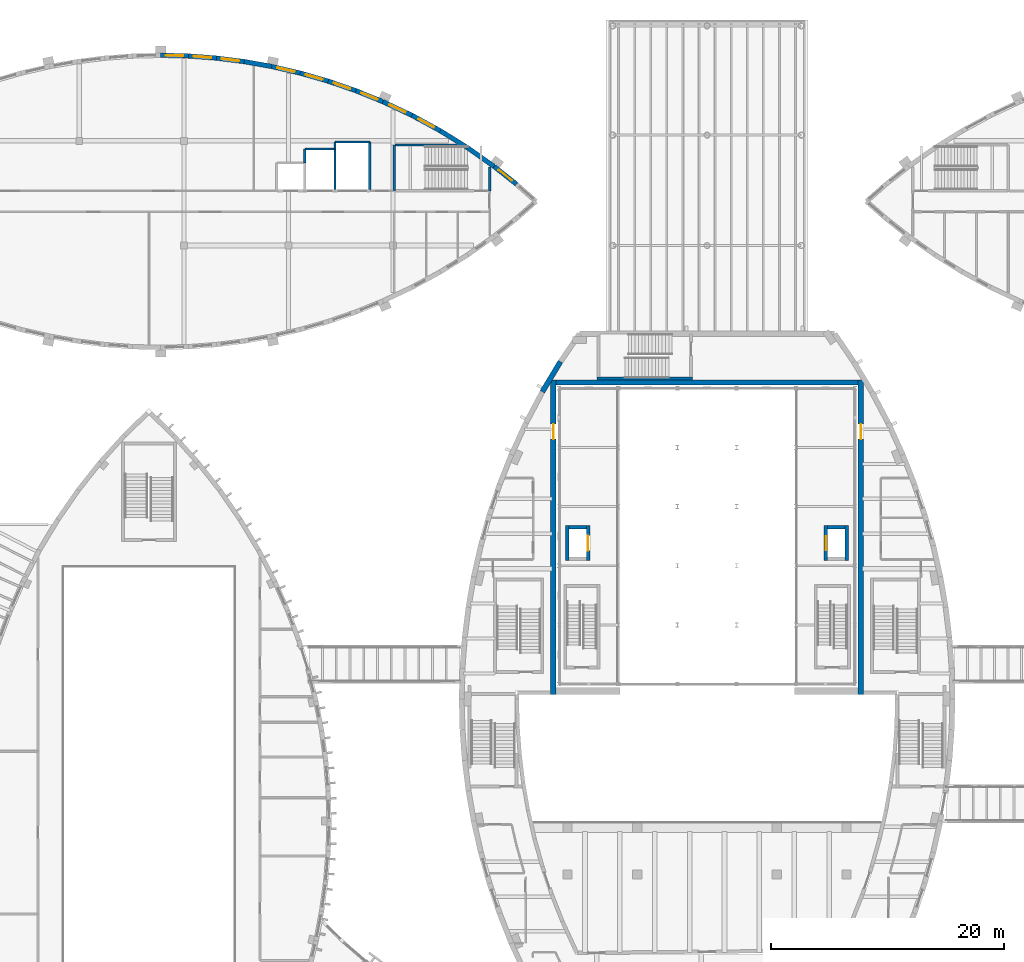
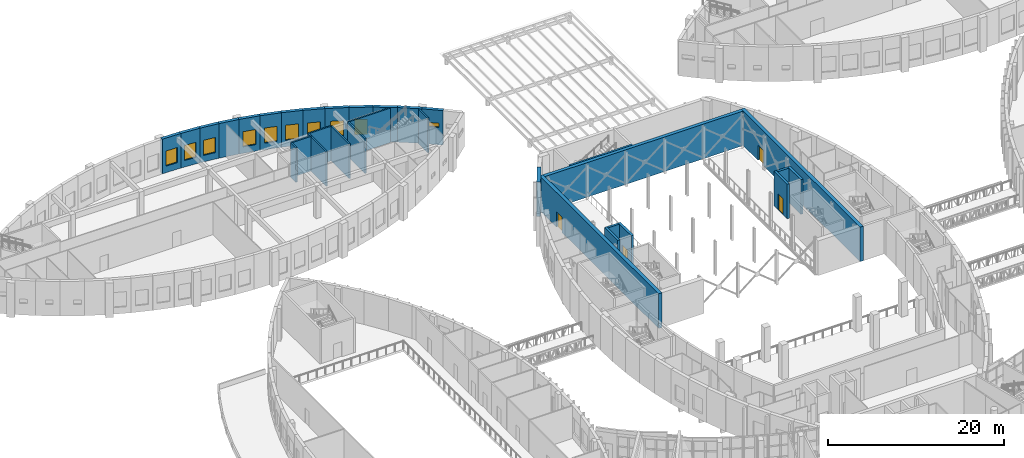
# One storey, part 68 of 93: 33 walls, 10 windows, 4 doors, 14 openings.
"""IFC4 building model written with IfcOpenShell, lengths in metres."""

from ifc_helpers import new_model, si_unit, direction, frame, frame_2d, origin, place, context, subcontext, project, spatial, rectangle, extrude, material, layer, layer_set, type_object, element, fill, save


model = new_model("IFC4")

# Units and contexts
model_context = context("Model", 3, precision=1e-05, world=origin(), true_north=direction((0.0, 1.0)))
body_context = subcontext(model_context, "Body", "Model", "MODEL_VIEW")
ifc_project = project(units=[si_unit("LENGTHUNIT", "METRE"), si_unit("AREAUNIT", "SQUARE_METRE"), si_unit("VOLUMEUNIT", "CUBIC_METRE"), si_unit("PLANEANGLEUNIT", "RADIAN"), si_unit("MASSUNIT", "GRAM", prefix="KILO")], contexts=[model_context])

# Site, building, storey
site_placement = place(None, origin())
site = spatial("IfcSite", under=ifc_project, at=site_placement, CompositionType="ELEMENT")
building_placement = place(site_placement, origin())
building = spatial("IfcBuilding", under=site, at=building_placement, Name="Tide Square Theatres", CompositionType="ELEMENT")
storey_placement = place(building_placement, frame((0.0, 0.0, 5.39990234375)))
storey = spatial("IfcBuildingStorey", under=building, at=storey_placement, Name="L01", CompositionType="ELEMENT", Elevation=5.39990234375)

# Wall, opening, window
ifc_material_1 = material(Name="Concrete C40", Category="concrete")
ifc_layer_1 = layer(ifc_material_1, 0.39990234375)
ifc_layer_set_1 = layer_set([ifc_layer_1], Name="Concrete C40")
wall_type_1 = type_object("IfcWallType", Name="RC curved wall 400 thick", PredefinedType="SOLIDWALL", material=ifc_layer_set_1)
wall_1_placement = place(storey_placement, frame((67.61279296875, 99.27978515625, 0.0), z_axis=(0.0, 0.0, 1.0), x_axis=(-0.784278812541, 0.620408530082, 0.0)))
wall_1 = element("IfcWall", 1, at=wall_1_placement, inside=storey, type_object=wall_type_1, Name="Scenery Workshops perimeter wall 029", PredefinedType="SOLIDWALL", context=body_context, shape_type="SweptSolid", body=[
    extrude(rectangle(XDim=2.464111328125, YDim=0.39990234375, at=frame_2d((1.23193359375, 0.0))), origin(), (0.0, 0.0, 1.0), 4.800048828125),
])
opening_1_placement = place(wall_1_placement, frame((0.48193359375, 0.0, 2.39990234375)))
opening_1 = element("IfcOpeningElement", 2, at=opening_1_placement, cuts=wall_1, Name="Opening WN-05", PredefinedType="OPENING", context=body_context, shape_type="SweptSolid", body=[
    extrude(rectangle(XDim=1.5, YDim=0.60009765625, at=frame_2d((0.75, 0.300048828125))), frame((0.0, 0.2099609375, 0.0), z_axis=(0.0, -1.0, 0.0), x_axis=(1.0, 0.0, 0.0)), (0.0, 0.0, 1.0), 0.419921875),
])
ifc_material_2 = material(Name="Aluminium with laminated glass", Category="aluminium")
window_type_1 = type_object("IfcWindowType", Name="Window 1500 x 600", PartitioningType="SINGLE_PANEL", PredefinedType="WINDOW", material=ifc_material_2)
window_1_placement = place(opening_1_placement, origin())
window_1 = element("IfcWindow", 3, at=window_1_placement, inside=storey, type_object=window_type_1, Name="Scenery Workshops window L01-70", OverallHeight=0.60009765625, OverallWidth=1.5, PartitioningType="SINGLE_PANEL", PredefinedType="WINDOW", context=body_context, shape_type="SweptSolid", body=[
    extrude(rectangle(XDim=1.5, YDim=0.60009765625, at=frame_2d((0.75, 0.300048828125))), frame((0.0, 0.030029296875, 0.0), z_axis=(0.0, -1.0, 0.0), x_axis=(1.0, 0.0, 0.0)), (0.0, 0.0, 1.0), 0.06005859375),
])
fill(opening_1, window_1)

# Walls
for number, where, z_axis, x_axis, name in (
    (4, (65.68017578125, 100.80859375, 0.0), (0.0, 0.0, 1.0), (-0.817070367038, 0.57653795652, 0.0), "Scenery Workshops perimeter wall 030"),
    (5, (63.415283203125, 102.40673828125, 0.0), (0.0, 0.0, 1.0), (-0.84912946359, 0.528184772653, 0.0), "Scenery Workshops perimeter wall 031"),
):
    element("IfcWall", number, at=place(storey_placement, frame(where, z_axis=z_axis, x_axis=x_axis)), inside=storey, type_object=wall_type_1, Name=name, PredefinedType="SOLIDWALL", context=body_context, shape_type="SweptSolid", body=[
        extrude(rectangle(XDim=2.77197265625, YDim=0.39990234375, at=frame_2d((1.385986328125, 0.0))), origin(), (0.0, 0.0, 1.0), 4.800048828125),
    ])

# Wall, opening, window
wall_2_placement = place(storey_placement, frame((61.0615234375, 103.870849609375, 0.0), z_axis=(0.0, 0.0, 1.0), x_axis=(-0.878255502871, 0.478191668347, 0.0)))
wall_2 = element("IfcWall", 6, at=wall_2_placement, inside=storey, type_object=wall_type_1, Name="Scenery Workshops perimeter wall 032", PredefinedType="SOLIDWALL", context=body_context, shape_type="SweptSolid", body=[
    extrude(rectangle(XDim=2.771728515625, YDim=0.39990234375, at=frame_2d((1.3857421875, 0.0))), origin(), (0.0, 0.0, 1.0), 4.800048828125),
])
opening_2_placement = place(wall_2_placement, frame((0.635986328125, 0.0, 0.89990234375)))
opening_2 = element("IfcOpeningElement", 7, at=opening_2_placement, cuts=wall_2, Name="Opening WN-01", PredefinedType="OPENING", context=body_context, shape_type="SweptSolid", body=[
    extrude(rectangle(XDim=1.5, YDim=2.10009765625, at=frame_2d((0.75, 1.050048828125))), frame((0.0, 0.2099609375, 0.0), z_axis=(0.0, -1.0, 0.0), x_axis=(1.0, 0.0, 0.0)), (0.0, 0.0, 1.0), 0.419921875),
])
ifc_material_3 = material(Name="Aluminium with laminated glass", Category="aluminium")
window_type_2 = type_object("IfcWindowType", Name="Window 1500 x 2100", PartitioningType="SINGLE_PANEL", PredefinedType="WINDOW", material=ifc_material_3)
window_2_placement = place(opening_2_placement, origin())
window_2 = element("IfcWindow", 8, at=window_2_placement, inside=storey, type_object=window_type_2, Name="Scenery Workshops window L01-71", OverallHeight=2.10009765625, OverallWidth=1.5, PartitioningType="SINGLE_PANEL", PredefinedType="WINDOW", context=body_context, shape_type="SweptSolid", body=[
    extrude(rectangle(XDim=1.5, YDim=2.10009765625, at=frame_2d((0.75, 1.050048828125))), frame((0.0, 0.030029296875, 0.0), z_axis=(0.0, -1.0, 0.0), x_axis=(1.0, 0.0, 0.0)), (0.0, 0.0, 1.0), 0.06005859375),
])
fill(opening_2, window_2)

wall_3_placement = place(storey_placement, frame((58.627197265625, 105.1962890625, 0.0), z_axis=(0.0, 0.0, 1.0), x_axis=(-0.904561064695, 0.42634408667, 0.0)))
wall_3 = element("IfcWall", 9, at=wall_3_placement, inside=storey, type_object=wall_type_1, Name="Scenery Workshops perimeter wall 033", PredefinedType="SOLIDWALL", context=body_context, shape_type="SweptSolid", body=[
    extrude(rectangle(XDim=2.772216796875, YDim=0.39990234375, at=frame_2d((1.38623046875, 0.0))), origin(), (0.0, 0.0, 1.0), 4.800048828125),
])
opening_3_placement = place(wall_3_placement, frame((0.635986328125, 0.0, 0.89990234375)))
opening_3 = element("IfcOpeningElement", 10, at=opening_3_placement, cuts=wall_3, Name="Opening WN-01", PredefinedType="OPENING", context=body_context, shape_type="SweptSolid", body=[
    extrude(rectangle(XDim=1.5, YDim=2.10009765625, at=frame_2d((0.75, 1.050048828125))), frame((0.0, 0.2099609375, 0.0), z_axis=(0.0, -1.0, 0.0), x_axis=(1.0, 0.0, 0.0)), (0.0, 0.0, 1.0), 0.419921875),
])
window_3_placement = place(opening_3_placement, origin())
window_3 = element("IfcWindow", 11, at=window_3_placement, inside=storey, type_object=window_type_2, Name="Scenery Workshops window L01-72", OverallHeight=2.10009765625, OverallWidth=1.5, PartitioningType="SINGLE_PANEL", PredefinedType="WINDOW", context=body_context, shape_type="SweptSolid", body=[
    extrude(rectangle(XDim=1.5, YDim=2.10009765625, at=frame_2d((0.75, 1.050048828125))), frame((0.0, 0.030029296875, 0.0), z_axis=(0.0, -1.0, 0.0), x_axis=(1.0, 0.0, 0.0)), (0.0, 0.0, 1.0), 0.06005859375),
])
fill(opening_3, window_3)

wall_4_placement = place(storey_placement, frame((56.11962890625, 106.378173828125, 0.0), z_axis=(0.0, 0.0, 1.0), x_axis=(-0.926688932252, 0.375829246921, 0.0)))
wall_4 = element("IfcWall", 12, at=wall_4_placement, inside=storey, type_object=wall_type_1, Name="Scenery Workshops perimeter wall 034", PredefinedType="SOLIDWALL", context=body_context, shape_type="SweptSolid", body=[
    extrude(rectangle(XDim=2.5107421875, YDim=0.39990234375, at=frame_2d((1.25537109375, 0.0))), origin(), (0.0, 0.0, 1.0), 4.800048828125),
])
opening_4_placement = place(wall_4_placement, frame((0.50537109375, 0.0, 0.89990234375)))
opening_4 = element("IfcOpeningElement", 13, at=opening_4_placement, cuts=wall_4, Name="Opening WN-01", PredefinedType="OPENING", context=body_context, shape_type="SweptSolid", body=[
    extrude(rectangle(XDim=1.5, YDim=2.10009765625, at=frame_2d((0.75, 1.050048828125))), frame((0.0, 0.2099609375, 0.0), z_axis=(0.0, -1.0, 0.0), x_axis=(1.0, 0.0, 0.0)), (0.0, 0.0, 1.0), 0.419921875),
])
window_4_placement = place(opening_4_placement, origin())
window_4 = element("IfcWindow", 14, at=window_4_placement, inside=storey, type_object=window_type_2, Name="Scenery Workshops window L01-73", OverallHeight=2.10009765625, OverallWidth=1.5, PartitioningType="SINGLE_PANEL", PredefinedType="WINDOW", context=body_context, shape_type="SweptSolid", body=[
    extrude(rectangle(XDim=1.5, YDim=2.10009765625, at=frame_2d((0.75, 1.050048828125))), frame((0.0, 0.030029296875, 0.0), z_axis=(0.0, -1.0, 0.0), x_axis=(1.0, 0.0, 0.0)), (0.0, 0.0, 1.0), 0.06005859375),
])
fill(opening_4, window_4)

wall_5_placement = place(storey_placement, frame((53.79296875, 107.32177734375, 0.0), z_axis=(0.0, 0.0, 1.0), x_axis=(-0.945175475032, 0.326562890417, 0.0)))
wall_5 = element("IfcWall", 15, at=wall_5_placement, inside=storey, type_object=wall_type_1, Name="Scenery Workshops perimeter wall 035", PredefinedType="SOLIDWALL", context=body_context, shape_type="SweptSolid", body=[
    extrude(rectangle(XDim=2.51123046875, YDim=0.39990234375, at=frame_2d((1.255615234375, 0.0))), origin(), (0.0, 0.0, 1.0), 4.800048828125),
])
opening_5_placement = place(wall_5_placement, frame((0.505615234375, 0.0, 0.89990234375)))
opening_5 = element("IfcOpeningElement", 16, at=opening_5_placement, cuts=wall_5, Name="Opening WN-01", PredefinedType="OPENING", context=body_context, shape_type="SweptSolid", body=[
    extrude(rectangle(XDim=1.5, YDim=2.10009765625, at=frame_2d((0.75, 1.050048828125))), frame((0.0, 0.2099609375, 0.0), z_axis=(0.0, -1.0, 0.0), x_axis=(1.0, 0.0, 0.0)), (0.0, 0.0, 1.0), 0.419921875),
])
window_5_placement = place(opening_5_placement, origin())
window_5 = element("IfcWindow", 17, at=window_5_placement, inside=storey, type_object=window_type_2, Name="Scenery Workshops window L01-74", OverallHeight=2.10009765625, OverallWidth=1.5, PartitioningType="SINGLE_PANEL", PredefinedType="WINDOW", context=body_context, shape_type="SweptSolid", body=[
    extrude(rectangle(XDim=1.5, YDim=2.10009765625, at=frame_2d((0.75, 1.050048828125))), frame((0.0, 0.030029296875, 0.0), z_axis=(0.0, -1.0, 0.0), x_axis=(1.0, 0.0, 0.0)), (0.0, 0.0, 1.0), 0.06005859375),
])
fill(opening_5, window_5)

wall_6_placement = place(storey_placement, frame((51.41943359375, 108.141845703125, 0.0), z_axis=(0.0, 0.0, 1.0), x_axis=(-0.961008605775, 0.276518461637, 0.0)))
wall_6 = element("IfcWall", 18, at=wall_6_placement, inside=storey, type_object=wall_type_1, Name="Scenery Workshops perimeter wall 036", PredefinedType="SOLIDWALL", context=body_context, shape_type="SweptSolid", body=[
    extrude(rectangle(XDim=2.510986328125, YDim=0.39990234375, at=frame_2d((1.25537109375, 0.0))), origin(), (0.0, 0.0, 1.0), 4.800048828125),
])
opening_6_placement = place(wall_6_placement, frame((0.505615234375, 0.0, 0.89990234375)))
opening_6 = element("IfcOpeningElement", 19, at=opening_6_placement, cuts=wall_6, Name="Opening WN-01", PredefinedType="OPENING", context=body_context, shape_type="SweptSolid", body=[
    extrude(rectangle(XDim=1.5, YDim=2.10009765625, at=frame_2d((0.75, 1.050048828125))), frame((0.0, 0.2099609375, 0.0), z_axis=(0.0, -1.0, 0.0), x_axis=(1.0, 0.0, 0.0)), (0.0, 0.0, 1.0), 0.419921875),
])
window_6_placement = place(opening_6_placement, origin())
window_6 = element("IfcWindow", 20, at=window_6_placement, inside=storey, type_object=window_type_2, Name="Scenery Workshops window L01-75", OverallHeight=2.10009765625, OverallWidth=1.5, PartitioningType="SINGLE_PANEL", PredefinedType="WINDOW", context=body_context, shape_type="SweptSolid", body=[
    extrude(rectangle(XDim=1.5, YDim=2.10009765625, at=frame_2d((0.75, 1.050048828125))), frame((0.0, 0.030029296875, 0.0), z_axis=(0.0, -1.0, 0.0), x_axis=(1.0, 0.0, 0.0)), (0.0, 0.0, 1.0), 0.06005859375),
])
fill(opening_6, window_6)

wall_7_placement = place(storey_placement, frame((49.00634765625, 108.836181640625, 0.0), z_axis=(0.0, 0.0, 1.0), x_axis=(-0.974189274843, 0.225732710925, 0.0)))
wall_7 = element("IfcWall", 21, at=wall_7_placement, inside=storey, type_object=wall_type_1, Name="Scenery Workshops perimeter wall 037", PredefinedType="SOLIDWALL", context=body_context, shape_type="SweptSolid", body=[
    extrude(rectangle(XDim=2.511474609375, YDim=0.39990234375, at=frame_2d((1.255859375, 0.0))), origin(), (0.0, 0.0, 1.0), 4.800048828125),
])
opening_7_placement = place(wall_7_placement, frame((0.505615234375, 0.0, 0.89990234375)))
opening_7 = element("IfcOpeningElement", 22, at=opening_7_placement, cuts=wall_7, Name="Opening WN-01", PredefinedType="OPENING", context=body_context, shape_type="SweptSolid", body=[
    extrude(rectangle(XDim=1.5, YDim=2.10009765625, at=frame_2d((0.75, 1.050048828125))), frame((0.0, 0.2099609375, 0.0), z_axis=(0.0, -1.0, 0.0), x_axis=(1.0, 0.0, 0.0)), (0.0, 0.0, 1.0), 0.419921875),
])
window_7_placement = place(opening_7_placement, origin())
window_7 = element("IfcWindow", 23, at=window_7_placement, inside=storey, type_object=window_type_2, Name="Scenery Workshops window L01-76", OverallHeight=2.10009765625, OverallWidth=1.5, PartitioningType="SINGLE_PANEL", PredefinedType="WINDOW", context=body_context, shape_type="SweptSolid", body=[
    extrude(rectangle(XDim=1.5, YDim=2.10009765625, at=frame_2d((0.75, 1.050048828125))), frame((0.0, 0.030029296875, 0.0), z_axis=(0.0, -1.0, 0.0), x_axis=(1.0, 0.0, 0.0)), (0.0, 0.0, 1.0), 0.06005859375),
])
fill(opening_7, window_7)

# Wall
wall_8_placement = place(storey_placement, frame((46.559814453125, 109.403076171875, 0.0), z_axis=(0.0, 0.0, 1.0), x_axis=(-0.984524011381, 0.175249738987, 0.0)))
element("IfcWall", 24, at=wall_8_placement, inside=storey, type_object=wall_type_1, Name="Scenery Workshops perimeter wall 038", PredefinedType="SOLIDWALL", context=body_context, shape_type="SweptSolid", body=[
    extrude(rectangle(XDim=2.406005859375, YDim=0.39990234375, at=frame_2d((1.203125, 0.0))), origin(), (0.0, 0.0, 1.0), 4.800048828125),
])

# Wall, opening, window
wall_9_placement = place(storey_placement, frame((44.191162109375, 109.82470703125, 0.0), z_axis=(0.0, 0.0, 1.0), x_axis=(-0.99208939311, 0.125533406227, 0.0)))
wall_9 = element("IfcWall", 25, at=wall_9_placement, inside=storey, type_object=wall_type_1, Name="Scenery Workshops perimeter wall 039", PredefinedType="SOLIDWALL", context=body_context, shape_type="SweptSolid", body=[
    extrude(rectangle(XDim=2.40576171875, YDim=0.39990234375, at=frame_2d((1.202880859375, 0.0))), origin(), (0.0, 0.0, 1.0), 4.800048828125),
])
opening_8_placement = place(wall_9_placement, frame((0.452880859375, 0.0, 0.89990234375)))
opening_8 = element("IfcOpeningElement", 26, at=opening_8_placement, cuts=wall_9, Name="Opening WN-01", PredefinedType="OPENING", context=body_context, shape_type="SweptSolid", body=[
    extrude(rectangle(XDim=1.5, YDim=2.10009765625, at=frame_2d((0.75, 1.050048828125))), frame((0.0, 0.2099609375, 0.0), z_axis=(0.0, -1.0, 0.0), x_axis=(1.0, 0.0, 0.0)), (0.0, 0.0, 1.0), 0.419921875),
])
window_8_placement = place(opening_8_placement, origin())
window_8 = element("IfcWindow", 27, at=window_8_placement, inside=storey, type_object=window_type_2, Name="Scenery Workshops window L01-77", OverallHeight=2.10009765625, OverallWidth=1.5, PartitioningType="SINGLE_PANEL", PredefinedType="WINDOW", context=body_context, shape_type="SweptSolid", body=[
    extrude(rectangle(XDim=1.5, YDim=2.10009765625, at=frame_2d((0.75, 1.050048828125))), frame((0.0, 0.030029296875, 0.0), z_axis=(0.0, -1.0, 0.0), x_axis=(1.0, 0.0, 0.0)), (0.0, 0.0, 1.0), 0.06005859375),
])
fill(opening_8, window_8)

wall_10_placement = place(storey_placement, frame((41.804443359375, 110.126708984375, 0.0), z_axis=(0.0, 0.0, 1.0), x_axis=(-0.997153910364, 0.075392831525, 0.0)))
wall_10 = element("IfcWall", 28, at=wall_10_placement, inside=storey, type_object=wall_type_1, Name="Scenery Workshops perimeter wall 040", PredefinedType="SOLIDWALL", context=body_context, shape_type="SweptSolid", body=[
    extrude(rectangle(XDim=2.406005859375, YDim=0.39990234375, at=frame_2d((1.203125, 0.0))), origin(), (0.0, 0.0, 1.0), 4.800048828125),
])
opening_9_placement = place(wall_10_placement, frame((0.452880859375, 0.0, 0.89990234375)))
opening_9 = element("IfcOpeningElement", 29, at=opening_9_placement, cuts=wall_10, Name="Opening WN-01", PredefinedType="OPENING", context=body_context, shape_type="SweptSolid", body=[
    extrude(rectangle(XDim=1.5, YDim=2.10009765625, at=frame_2d((0.75, 1.050048828125))), frame((0.0, 0.2099609375, 0.0), z_axis=(0.0, -1.0, 0.0), x_axis=(1.0, 0.0, 0.0)), (0.0, 0.0, 1.0), 0.419921875),
])
window_9_placement = place(opening_9_placement, origin())
window_9 = element("IfcWindow", 30, at=window_9_placement, inside=storey, type_object=window_type_2, Name="Scenery Workshops window L01-78", OverallHeight=2.10009765625, OverallWidth=1.5, PartitioningType="SINGLE_PANEL", PredefinedType="WINDOW", context=body_context, shape_type="SweptSolid", body=[
    extrude(rectangle(XDim=1.5, YDim=2.10009765625, at=frame_2d((0.75, 1.050048828125))), frame((0.0, 0.030029296875, 0.0), z_axis=(0.0, -1.0, 0.0), x_axis=(1.0, 0.0, 0.0)), (0.0, 0.0, 1.0), 0.06005859375),
])
fill(opening_9, window_9)

wall_11_placement = place(storey_placement, frame((39.4052734375, 110.30810546875, 0.0), z_axis=(0.0, 0.0, 1.0), x_axis=(-0.999683321759, 0.025164582196, 0.0)))
wall_11 = element("IfcWall", 31, at=wall_11_placement, inside=storey, type_object=wall_type_1, Name="Scenery Workshops perimeter wall 041", PredefinedType="SOLIDWALL", context=body_context, shape_type="SweptSolid", body=[
    extrude(rectangle(XDim=2.406005859375, YDim=0.39990234375, at=frame_2d((1.203125, 0.0))), origin(), (0.0, 0.0, 1.0), 4.800048828125),
])
opening_10_placement = place(wall_11_placement, frame((0.452880859375, 0.0, 0.89990234375)))
opening_10 = element("IfcOpeningElement", 32, at=opening_10_placement, cuts=wall_11, Name="Opening WN-01", PredefinedType="OPENING", context=body_context, shape_type="SweptSolid", body=[
    extrude(rectangle(XDim=1.5, YDim=2.10009765625, at=frame_2d((0.75, 1.050048828125))), frame((0.0, 0.2099609375, 0.0), z_axis=(0.0, -1.0, 0.0), x_axis=(1.0, 0.0, 0.0)), (0.0, 0.0, 1.0), 0.419921875),
])
window_10_placement = place(opening_10_placement, origin())
window_10 = element("IfcWindow", 33, at=window_10_placement, inside=storey, type_object=window_type_2, Name="Scenery Workshops window L01-79", OverallHeight=2.10009765625, OverallWidth=1.5, PartitioningType="SINGLE_PANEL", PredefinedType="WINDOW", context=body_context, shape_type="SweptSolid", body=[
    extrude(rectangle(XDim=1.5, YDim=2.10009765625, at=frame_2d((0.75, 1.050048828125))), frame((0.0, 0.030029296875, 0.0), z_axis=(0.0, -1.0, 0.0), x_axis=(1.0, 0.0, 0.0)), (0.0, 0.0, 1.0), 0.06005859375),
])
fill(opening_10, window_10)

# Wall
ifc_material_4 = material(Name="Concrete C40", Category="concrete")
ifc_layer_2 = layer(ifc_material_4, 0.449951171875)
ifc_layer_set_2 = layer_set([ifc_layer_2], Name="Concrete C40")
wall_type_2 = type_object("IfcWallType", Name="RC curved wall 450 thick", PredefinedType="SOLIDWALL", material=ifc_layer_set_2)
wall_12_placement = place(storey_placement, frame((71.388671875, 84.013916015625, 0.0), z_axis=(0.0, 0.0, 1.0), x_axis=(-0.515636119523, -0.856807675177, 0.0)))
element("IfcWall", 34, at=wall_12_placement, inside=storey, type_object=wall_type_2, Name="Main Theatre perimeter wall", PredefinedType="SOLIDWALL", context=body_context, shape_type="SweptSolid", body=[
    extrude(rectangle(XDim=3.021240234375, YDim=0.449951171875, at=frame_2d((1.5107421875, 0.0))), origin(), (0.0, 0.0, 1.0), 4.800048828125),
])

# Wall, opening, door
wall_13_placement = place(storey_placement, frame((70.77490234375, 55.39990234375, 0.0), z_axis=(0.0, 0.0, 1.0), x_axis=(0.0, 1.0, 0.0)))
wall_13 = element("IfcWall", 35, at=wall_13_placement, inside=storey, type_object=wall_type_2, Name="Stage house wall", PredefinedType="SOLIDWALL", context=body_context, shape_type="SweptSolid", body=[
    extrude(rectangle(XDim=27.050048828125, YDim=0.449951171875, at=frame_2d((13.52490234375, 0.0))), origin(), (0.0, 0.0, 1.0), 4.800048828125),
])
opening_11_placement = place(wall_13_placement, frame((21.949951171875, 0.0, 0.0)))
opening_11 = element("IfcOpeningElement", 36, at=opening_11_placement, cuts=wall_13, Name="Opening M01-27", PredefinedType="OPENING", context=body_context, shape_type="SweptSolid", body=[
    extrude(rectangle(XDim=1.300048828125, YDim=2.10009765625, at=frame_2d((0.64990234375, 1.050048828125))), frame((0.0, 0.23486328125, 0.0), z_axis=(0.0, -1.0, 0.0), x_axis=(1.0, 0.0, 0.0)), (0.0, 0.0, 1.0), 0.469970703125),
])
ifc_material_5 = material(Name="Hardwood timber", Category="wood")
door_type_1 = type_object("IfcDoorType", Name="Door 1300 x 2100 double leaf", OperationType="DOUBLE_DOOR_SINGLE_SWING", PredefinedType="DOOR", material=ifc_material_5)
door_1_placement = place(opening_11_placement, origin())
door_1 = element("IfcDoor", 37, at=door_1_placement, inside=storey, type_object=door_type_1, Name="Stage house side door", OperationType="DOUBLE_DOOR_SINGLE_SWING", OverallHeight=2.10009765625, OverallWidth=1.300048828125, PredefinedType="DOOR", context=body_context, shape_type="SweptSolid", body=[
    extrude(rectangle(XDim=1.300048828125, YDim=2.10009765625, at=frame_2d((0.64990234375, 1.050048828125))), frame((0.0, 0.02490234375, 0.0), z_axis=(0.0, -1.0, 0.0), x_axis=(1.0, 0.0, 0.0)), (0.0, 0.0, 1.0), 0.050048828125),
])
fill(opening_11, door_1)

wall_14_placement = place(storey_placement, frame((97.22509765625, 55.39990234375, 0.0), z_axis=(0.0, 0.0, 1.0), x_axis=(0.0, 1.0, 0.0)))
wall_14 = element("IfcWall", 38, at=wall_14_placement, inside=storey, type_object=wall_type_2, Name="Stage house wall", PredefinedType="SOLIDWALL", context=body_context, shape_type="SweptSolid", body=[
    extrude(rectangle(XDim=27.050048828125, YDim=0.449951171875, at=frame_2d((13.52490234375, 0.0))), origin(), (0.0, 0.0, 1.0), 4.800048828125),
])
opening_12_placement = place(wall_14_placement, frame((21.949951171875, 0.0, 0.0)))
opening_12 = element("IfcOpeningElement", 39, at=opening_12_placement, cuts=wall_14, Name="Opening M01-28", PredefinedType="OPENING", context=body_context, shape_type="SweptSolid", body=[
    extrude(rectangle(XDim=1.300048828125, YDim=2.10009765625, at=frame_2d((0.64990234375, 1.050048828125))), frame((0.0, 0.23486328125, 0.0), z_axis=(0.0, -1.0, 0.0), x_axis=(1.0, 0.0, 0.0)), (0.0, 0.0, 1.0), 0.469970703125),
])
door_2_placement = place(opening_12_placement, origin())
door_2 = element("IfcDoor", 40, at=door_2_placement, inside=storey, type_object=door_type_1, Name="Stage house side door", OperationType="DOUBLE_DOOR_SINGLE_SWING", OverallHeight=2.10009765625, OverallWidth=1.300048828125, PredefinedType="DOOR", context=body_context, shape_type="SweptSolid", body=[
    extrude(rectangle(XDim=1.300048828125, YDim=2.10009765625, at=frame_2d((0.64990234375, 1.050048828125))), frame((0.0, 0.02490234375, 0.0), z_axis=(0.0, -1.0, 0.0), x_axis=(1.0, 0.0, 0.0)), (0.0, 0.0, 1.0), 0.050048828125),
])
fill(opening_12, door_2)

# Walls
wall_15_placement = place(storey_placement, frame((71.0, 82.22509765625, 0.0), z_axis=(0.0, 0.0, 1.0), x_axis=(1.0, 0.0, 0.0)))
element("IfcWall", 41, at=wall_15_placement, inside=storey, type_object=wall_type_2, Name="Stage house rear wall", PredefinedType="SOLIDWALL", context=body_context, shape_type="SweptSolid", body=[
    extrude(rectangle(XDim=26.0, YDim=0.449951171875, at=frame_2d((13.0, 0.0))), origin(), (0.0, 0.0, 1.0), 4.800048828125),
])
ifc_material_6 = material(Name="Concrete C40", Category="concrete")
ifc_layer_3 = layer(ifc_material_6, 0.199951171875)
ifc_layer_set_3 = layer_set([ifc_layer_3], Name="Concrete C40")
wall_type_3 = type_object("IfcWallType", Name="RC shear wall 200 thick", PredefinedType="SHEAR", material=ifc_layer_set_3)
wall_16_placement = place(storey_placement, frame((49.39990234375, 101.10009765625, 0.0), z_axis=(0.0, 0.0, 1.0), x_axis=(0.0, 1.0, 0.0)))
element("IfcWall", 42, at=wall_16_placement, inside=storey, type_object=wall_type_3, Name="Scenery Workshops lift shaft wall", PredefinedType="SHEAR", context=body_context, shape_type="SweptSolid", body=[
    extrude(rectangle(XDim=1.199951171875, YDim=0.199951171875, at=frame_2d((0.60009765625, 0.0))), origin(), (0.0, 0.0, 1.0), 4.800048828125),
])
wall_17_placement = place(storey_placement, frame((49.39990234375, 102.300048828125, 0.0), z_axis=(0.0, 0.0, 1.0), x_axis=(1.0, 0.0, 0.0)))
element("IfcWall", 43, at=wall_17_placement, inside=storey, type_object=wall_type_3, Name="Scenery Workshops lift shaft wall", PredefinedType="SHEAR", context=body_context, shape_type="SweptSolid", body=[
    extrude(rectangle(XDim=2.60009765625, YDim=0.199951171875, at=frame_2d((1.300048828125, 0.0))), origin(), (0.0, 0.0, 1.0), 4.800048828125),
])
wall_18_placement = place(storey_placement, frame((52.0, 102.300048828125, 0.0), z_axis=(0.0, 0.0, 1.0), x_axis=(0.0, 1.0, 0.0)))
element("IfcWall", 44, at=wall_18_placement, inside=storey, type_object=wall_type_3, Name="Scenery Workshops lift shaft wall", PredefinedType="SHEAR", context=body_context, shape_type="SweptSolid", body=[
    extrude(rectangle(XDim=0.599853515625, YDim=0.199951171875, at=frame_2d((0.2998046875, 0.0))), origin(), (0.0, 0.0, 1.0), 4.800048828125),
])
wall_19_placement = place(storey_placement, frame((52.0, 102.89990234375, 0.0), z_axis=(0.0, 0.0, 1.0), x_axis=(1.0, 0.0, 0.0)))
element("IfcWall", 45, at=wall_19_placement, inside=storey, type_object=wall_type_3, Name="Scenery Workshops lift shaft wall", PredefinedType="SHEAR", context=body_context, shape_type="SweptSolid", body=[
    extrude(rectangle(XDim=3.0, YDim=0.199951171875, at=frame_2d((1.5, 0.0))), origin(), (0.0, 0.0, 1.0), 4.800048828125),
])
wall_20_placement = place(storey_placement, frame((55.0, 102.89990234375, 0.0), z_axis=(0.0, 0.0, 1.0), x_axis=(0.0, -1.0, 0.0)))
element("IfcWall", 46, at=wall_20_placement, inside=storey, type_object=wall_type_3, Name="Scenery Workshops lift shaft wall", PredefinedType="SHEAR", context=body_context, shape_type="SweptSolid", body=[
    extrude(rectangle(XDim=4.199951171875, YDim=0.199951171875, at=frame_2d((2.10009765625, 0.0))), origin(), (0.0, 0.0, 1.0), 4.800048828125),
])
wall_21_placement = place(storey_placement, frame((52.0, 102.300048828125, 0.0), z_axis=(0.0, 0.0, 1.0), x_axis=(0.0, -1.0, 0.0)))
element("IfcWall", 47, at=wall_21_placement, inside=storey, type_object=wall_type_3, Name="Scenery Workshops lift shaft wall", PredefinedType="SHEAR", context=body_context, shape_type="SweptSolid", body=[
    extrude(rectangle(XDim=3.60009765625, YDim=0.199951171875, at=frame_2d((1.800048828125, 0.0))), origin(), (0.0, 0.0, 1.0), 4.800048828125),
])
wall_22_placement = place(storey_placement, frame((65.300048828125, 100.770751953125, 0.0), z_axis=(0.0, 0.0, 1.0), x_axis=(0.0, -1.0, 0.0)))
element("IfcWall", 48, at=wall_22_placement, inside=storey, type_object=wall_type_3, Name="Scenery Workshops stair enclosure wall", PredefinedType="SHEAR", context=body_context, shape_type="SweptSolid", body=[
    extrude(rectangle(XDim=2.07080078125, YDim=0.199951171875, at=frame_2d((1.035400390625, 0.0))), origin(), (0.0, 0.0, 1.0), 4.800048828125),
])
wall_23_placement = place(storey_placement, frame((57.10009765625, 98.699951171875, 0.0), z_axis=(0.0, 0.0, 1.0), x_axis=(0.0, 1.0, 0.0)))
element("IfcWall", 49, at=wall_23_placement, inside=storey, type_object=wall_type_3, Name="Scenery Workshops stair enclosure wall", PredefinedType="SHEAR", context=body_context, shape_type="SweptSolid", body=[
    extrude(rectangle(XDim=3.949951171875, YDim=0.199951171875, at=frame_2d((1.97509765625, 0.0))), origin(), (0.0, 0.0, 1.0), 4.800048828125),
])
wall_24_placement = place(storey_placement, frame((57.10009765625, 102.64990234375, 0.0), z_axis=(0.0, 0.0, 1.0), x_axis=(1.0, 0.0, 0.0)))
element("IfcWall", 50, at=wall_24_placement, inside=storey, type_object=wall_type_3, Name="Scenery Workshops stair enclosure wall", PredefinedType="SHEAR", context=body_context, shape_type="SweptSolid", body=[
    extrude(rectangle(XDim=5.450927734375, YDim=0.199951171875, at=frame_2d((2.7255859375, 0.0))), origin(), (0.0, 0.0, 1.0), 4.800048828125),
])
ifc_material_7 = material(Name="Concrete C40", Category="concrete")
ifc_layer_4 = layer(ifc_material_7, 0.25)
ifc_layer_set_4 = layer_set([ifc_layer_4], Name="Concrete C40")
wall_type_4 = type_object("IfcWallType", Name="RC shear wall 250 thick", PredefinedType="SHEAR", material=ifc_layer_set_4)
wall_25_placement = place(storey_placement, frame((74.550048828125, 82.56494140625, 0.0), z_axis=(0.0, 0.0, 1.0), x_axis=(1.0, 0.0, 0.0)))
element("IfcWall", 51, at=wall_25_placement, inside=storey, type_object=wall_type_4, Name="Main Theatre North Stair shaft wall", PredefinedType="SHEAR", context=body_context, shape_type="SweptSolid", body=[
    extrude(rectangle(XDim=8.199951171875, YDim=0.25, at=frame_2d((4.10009765625, 0.0))), origin(), (0.0, 0.0, 1.0), 4.800048828125),
])
ifc_material_8 = material(Name="Concrete C40", Category="concrete")
ifc_layer_5 = layer(ifc_material_8, 0.300048828125)
ifc_layer_set_5 = layer_set([ifc_layer_5], Name="Concrete C40")
wall_type_5 = type_object("IfcWallType", Name="RC shear wall 300 thick", PredefinedType="SHEAR", material=ifc_layer_set_5)
wall_26_placement = place(storey_placement, frame((73.6259765625, 69.75, 0.0), z_axis=(0.0, 0.0, 1.0), x_axis=(-1.0, 0.0, 0.0)))
element("IfcWall", 52, at=wall_26_placement, inside=storey, type_object=wall_type_5, Name="Fly Tower lift 11 shaft wall", PredefinedType="SHEAR", context=body_context, shape_type="SweptSolid", body=[
    extrude(rectangle(XDim=1.5, YDim=0.300048828125, at=frame_2d((0.75, 0.0))), origin(), (0.0, 0.0, 1.0), 4.800048828125),
])
wall_27_placement = place(storey_placement, frame((71.97607421875, 66.89990234375, 0.0), z_axis=(0.0, 0.0, 1.0), x_axis=(0.0, 1.0, 0.0)))
element("IfcWall", 53, at=wall_27_placement, inside=storey, type_object=wall_type_5, Name="Fly Tower lift 11 shaft wall", PredefinedType="SHEAR", context=body_context, shape_type="SweptSolid", body=[
    extrude(rectangle(XDim=3.0, YDim=0.300048828125, at=frame_2d((1.5, 0.0))), origin(), (0.0, 0.0, 1.0), 4.800048828125),
])

# Wall, opening, door
wall_28_placement = place(storey_placement, frame((73.77587890625, 66.89990234375, 0.0), z_axis=(0.0, 0.0, 1.0), x_axis=(0.0, 1.0, 0.0)))
wall_28 = element("IfcWall", 54, at=wall_28_placement, inside=storey, type_object=wall_type_5, Name="Fly Tower lift 11 shaft wall", PredefinedType="SHEAR", context=body_context, shape_type="SweptSolid", body=[
    extrude(rectangle(XDim=3.0, YDim=0.300048828125, at=frame_2d((1.5, 0.0))), origin(), (0.0, 0.0, 1.0), 4.800048828125),
])
opening_13_placement = place(wall_28_placement, frame((0.85009765625, 0.0, 0.0)))
opening_13 = element("IfcOpeningElement", 55, at=opening_13_placement, cuts=wall_28, Name="Opening LD-T11-1", PredefinedType="OPENING", context=body_context, shape_type="SweptSolid", body=[
    extrude(rectangle(XDim=1.300048828125, YDim=2.300048828125, at=frame_2d((0.64990234375, 1.14990234375))), frame((0.0, 0.159912109375, 0.0), z_axis=(0.0, -1.0, 0.0), x_axis=(1.0, 0.0, 0.0)), (0.0, 0.0, 1.0), 0.320068359375),
])
ifc_material_9 = material(Name="Painted steel", Category="steel")
door_type_2 = type_object("IfcDoorType", Name="Door 1300 x 2300 sliding", OperationType="SLIDING_TO_LEFT", PredefinedType="DOOR", material=ifc_material_9)
door_3_placement = place(opening_13_placement, origin())
door_3 = element("IfcDoor", 56, at=door_3_placement, inside=storey, type_object=door_type_2, Name="Fly Tower Stretcher lift 1000 kg landing door L01", OperationType="SLIDING_TO_LEFT", OverallHeight=2.300048828125, OverallWidth=1.300048828125, PredefinedType="DOOR", context=body_context, shape_type="SweptSolid", body=[
    extrude(rectangle(XDim=1.300048828125, YDim=2.300048828125, at=frame_2d((0.64990234375, 1.14990234375))), frame((0.0, 0.02490234375, 0.0), z_axis=(0.0, -1.0, 0.0), x_axis=(1.0, 0.0, 0.0)), (0.0, 0.0, 1.0), 0.050048828125),
])
fill(opening_13, door_3)

# Wall
wall_29_placement = place(storey_placement, frame((95.8740234375, 69.75, 0.0), z_axis=(0.0, 0.0, 1.0), x_axis=(-1.0, 0.0, 0.0)))
element("IfcWall", 57, at=wall_29_placement, inside=storey, type_object=wall_type_5, Name="Fly Tower lift 12 shaft wall", PredefinedType="SHEAR", context=body_context, shape_type="SweptSolid", body=[
    extrude(rectangle(XDim=1.5, YDim=0.300048828125, at=frame_2d((0.75, 0.0))), origin(), (0.0, 0.0, 1.0), 4.800048828125),
])

# Wall, opening, door
wall_30_placement = place(storey_placement, frame((94.22412109375, 66.89990234375, 0.0), z_axis=(0.0, 0.0, 1.0), x_axis=(0.0, 1.0, 0.0)))
wall_30 = element("IfcWall", 58, at=wall_30_placement, inside=storey, type_object=wall_type_5, Name="Fly Tower lift 12 shaft wall", PredefinedType="SHEAR", context=body_context, shape_type="SweptSolid", body=[
    extrude(rectangle(XDim=3.0, YDim=0.300048828125, at=frame_2d((1.5, 0.0))), origin(), (0.0, 0.0, 1.0), 4.800048828125),
])
opening_14_placement = place(wall_30_placement, frame((0.89990234375, 0.0, 0.0)))
opening_14 = element("IfcOpeningElement", 59, at=opening_14_placement, cuts=wall_30, Name="Opening LD-T12-1", PredefinedType="OPENING", context=body_context, shape_type="SweptSolid", body=[
    extrude(rectangle(XDim=1.199951171875, YDim=2.199951171875, at=frame_2d((0.60009765625, 1.10009765625))), frame((0.0, 0.159912109375, 0.0), z_axis=(0.0, -1.0, 0.0), x_axis=(1.0, 0.0, 0.0)), (0.0, 0.0, 1.0), 0.320068359375),
])
ifc_material_10 = material(Name="Painted steel", Category="steel")
door_type_3 = type_object("IfcDoorType", Name="Door 1200 x 2200 sliding", OperationType="SLIDING_TO_LEFT", PredefinedType="DOOR", material=ifc_material_10)
door_4_placement = place(opening_14_placement, origin())
door_4 = element("IfcDoor", 60, at=door_4_placement, inside=storey, type_object=door_type_3, Name="Fly Tower Passenger lift 800 kg landing door L01", OperationType="SLIDING_TO_LEFT", OverallHeight=2.199951171875, OverallWidth=1.199951171875, PredefinedType="DOOR", context=body_context, shape_type="SweptSolid", body=[
    extrude(rectangle(XDim=1.199951171875, YDim=2.199951171875, at=frame_2d((0.60009765625, 1.10009765625))), frame((0.0, 0.02490234375, 0.0), z_axis=(0.0, -1.0, 0.0), x_axis=(1.0, 0.0, 0.0)), (0.0, 0.0, 1.0), 0.050048828125),
])
fill(opening_14, door_4)

# Wall
wall_31_placement = place(storey_placement, frame((96.02392578125, 66.89990234375, 0.0), z_axis=(0.0, 0.0, 1.0), x_axis=(0.0, 1.0, 0.0)))
element("IfcWall", 61, at=wall_31_placement, inside=storey, type_object=wall_type_5, Name="Fly Tower lift 12 shaft wall", PredefinedType="SHEAR", context=body_context, shape_type="SweptSolid", body=[
    extrude(rectangle(XDim=3.0, YDim=0.300048828125, at=frame_2d((1.5, 0.0))), origin(), (0.0, 0.0, 1.0), 4.800048828125),
])

save(model, "model.ifc")
